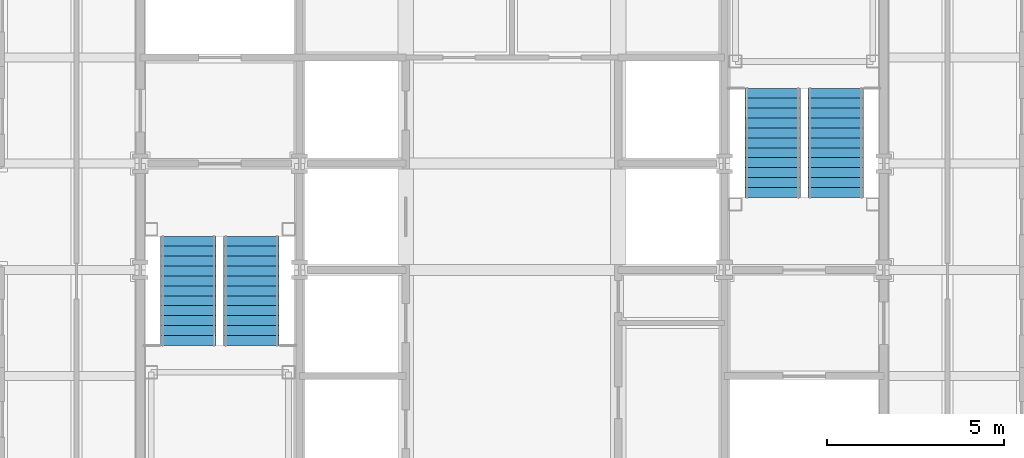
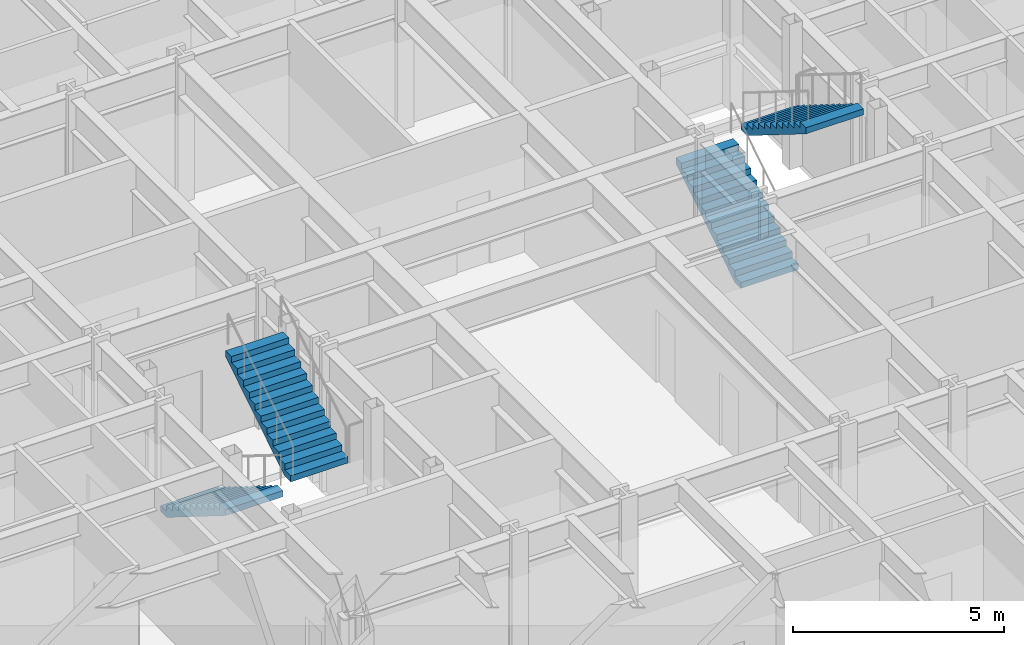
# One storey, part 13 of 15: 4 stair flights, 2 elements without a shape of their own.
"""IFC4 building model written with IfcOpenShell, lengths in metres."""

from ifc_helpers import new_model, si_unit, direction, frame, origin, place, context, subcontext, project, spatial, faceted_brep, material, type_object, element, aggregate, save


model = new_model("IFC4")

# Units and contexts
model_context = context("Model", 3, precision=1e-05, world=origin(), true_north=direction((0.0, 1.0)))
body_context = subcontext(model_context, "Body", "Model", "MODEL_VIEW")
ifc_project = project(units=[si_unit("LENGTHUNIT", "METRE"), si_unit("AREAUNIT", "SQUARE_METRE"), si_unit("VOLUMEUNIT", "CUBIC_METRE"), si_unit("PLANEANGLEUNIT", "RADIAN"), si_unit("MASSUNIT", "GRAM", prefix="KILO")], contexts=[model_context])

# Site, building, storey
site_placement = place(None, origin())
site = spatial("IfcSite", under=ifc_project, at=site_placement, CompositionType="ELEMENT")
building_placement = place(site_placement, origin())
building = spatial("IfcBuilding", under=site, at=building_placement, Name="Chuquiago Exchange Tower", CompositionType="ELEMENT")
storey_placement = place(building_placement, frame((0.0, 0.0, 270.60009765625)))
storey = spatial("IfcBuildingStorey", under=building, at=storey_placement, Name="L60", CompositionType="ELEMENT", Elevation=270.60009765625)

# Stair, stair flights
ifc_material_1 = material(Name="Concrete C30/37, precast", Category="concrete")
stair_type_1 = type_object("IfcStairType", Name="ST1 half-turn stair 4200", PredefinedType="HALF_TURN_STAIR", material=ifc_material_1)
stair_1_placement = place(storey_placement, origin())
stair_1 = element("IfcStair", 1, at=stair_1_placement, inside=storey, type_object=stair_type_1, Name="Stair ST1 L60", PredefinedType="HALF_TURN_STAIR")
ifc_material_2 = material(Name="Concrete C30/37, precast", Category="concrete")
stair_flight_type = type_object("IfcStairFlightType", Name="ST-F flight 1570 for 4200 storey", PredefinedType="STRAIGHT", material=ifc_material_2)
stair_flight_1_placement = place(storey_placement, frame((13.360107421875, 21.949951171875, 0.0), z_axis=(0.0, 0.0, 1.0), x_axis=(0.0, -1.0, 0.0)))
stair_flight_1 = element("IfcStairFlight", 2, at=stair_flight_1_placement, type_object=stair_flight_type, Name="ST1 flight 1", NumberOfRisers=12, NumberOfTreads=11, PredefinedType="STRAIGHT", RiserHeight=0.175, TreadLength=0.28, context=body_context, shape_type="Brep", body=[
    faceted_brep([(0.0, 0.78515625, 0.0), (0.0, 0.78515625, 0.175048828125), (0.280029296875, 0.78515625, 0.175048828125), (0.280029296875, 0.78515625, 0.35009765625), (0.56005859375, 0.78515625, 0.35009765625), (0.56005859375, 0.78515625, 0.52490234375), (0.840087890625, 0.78515625, 0.52490234375), (0.840087890625, 0.78515625, 0.699951171875), (1.1201171875, 0.78515625, 0.699951171875), (1.1201171875, 0.78515625, 0.875), (1.39990234375, 0.78515625, 0.875), (1.39990234375, 0.78515625, 1.050048828125), (1.679931640625, 0.78515625, 1.050048828125), (1.679931640625, 0.78515625, 1.22509765625), (1.9599609375, 0.78515625, 1.22509765625), (1.9599609375, 0.78515625, 1.39990234375), (2.239990234375, 0.78515625, 1.39990234375), (2.239990234375, 0.78515625, 1.574951171875), (2.52001953125, 0.78515625, 1.574951171875), (2.52001953125, 0.78515625, 1.75), (2.800048828125, 0.78515625, 1.75), (2.800048828125, 0.78515625, 1.925048828125), (3.080078125, 0.78515625, 1.925048828125), (3.080078125, 0.78515625, 1.748291015625), (0.28271484375, 0.78515625, 0.0), (0.28271484375, -0.78515625, 0.0), (3.080078125, -0.78515625, 1.748291015625), (3.080078125, -0.78515625, 1.925048828125), (2.800048828125, -0.78515625, 1.925048828125), (2.800048828125, -0.78515625, 1.75), (2.52001953125, -0.78515625, 1.75), (2.52001953125, -0.78515625, 1.574951171875), (2.239990234375, -0.78515625, 1.574951171875), (2.239990234375, -0.78515625, 1.39990234375), (1.9599609375, -0.78515625, 1.39990234375), (1.9599609375, -0.78515625, 1.22509765625), (1.679931640625, -0.78515625, 1.22509765625), (1.679931640625, -0.78515625, 1.050048828125), (1.39990234375, -0.78515625, 1.050048828125), (1.39990234375, -0.78515625, 0.875), (1.1201171875, -0.78515625, 0.875), (1.1201171875, -0.78515625, 0.699951171875), (0.840087890625, -0.78515625, 0.699951171875), (0.840087890625, -0.78515625, 0.52490234375), (0.56005859375, -0.78515625, 0.52490234375), (0.56005859375, -0.78515625, 0.35009765625), (0.280029296875, -0.78515625, 0.35009765625), (0.280029296875, -0.78515625, 0.175048828125), (0.0, -0.78515625, 0.175048828125), (0.0, -0.78515625, 0.0), (0.0, 0.392578125, 0.0), (0.0, 0.392578125, 0.175048828125), (0.0, 0.0, 0.0), (0.0, 0.0, 0.175048828125), (0.0, -0.392578125, 0.0), (0.0, -0.392578125, 0.175048828125), (0.280029296875, 0.392578125, 0.175048828125), (0.280029296875, 0.0, 0.175048828125), (0.280029296875, -0.392578125, 0.175048828125), (0.280029296875, 0.392578125, 0.35009765625), (0.280029296875, 0.0, 0.35009765625), (0.280029296875, -0.392578125, 0.35009765625), (0.56005859375, 0.392578125, 0.35009765625), (0.56005859375, 0.0, 0.35009765625), (0.56005859375, -0.392578125, 0.35009765625), (0.56005859375, 0.392578125, 0.52490234375), (0.56005859375, 0.0, 0.52490234375), (0.56005859375, -0.392578125, 0.52490234375), (0.840087890625, 0.392578125, 0.52490234375), (0.840087890625, 0.0, 0.52490234375), (0.840087890625, -0.392578125, 0.52490234375), (0.840087890625, 0.392578125, 0.699951171875), (0.840087890625, 0.0, 0.699951171875), (0.840087890625, -0.392578125, 0.699951171875), (1.1201171875, 0.392578125, 0.699951171875), (1.1201171875, 0.0, 0.699951171875), (1.1201171875, -0.392578125, 0.699951171875), (1.1201171875, 0.392578125, 0.875), (1.1201171875, 0.0, 0.875), (1.1201171875, -0.392578125, 0.875), (1.39990234375, 0.392578125, 0.875), (1.39990234375, 0.0, 0.875), (1.39990234375, -0.392578125, 0.875), (1.39990234375, 0.392578125, 1.050048828125), (1.39990234375, 0.0, 1.050048828125), (1.39990234375, -0.392578125, 1.050048828125), (1.679931640625, 0.392578125, 1.050048828125), (1.679931640625, 0.0, 1.050048828125), (1.679931640625, -0.392578125, 1.050048828125), (1.679931640625, 0.392578125, 1.22509765625), (1.679931640625, 0.0, 1.22509765625), (1.679931640625, -0.392578125, 1.22509765625), (1.9599609375, 0.392578125, 1.22509765625), (1.9599609375, 0.0, 1.22509765625), (1.9599609375, -0.392578125, 1.22509765625), (1.9599609375, 0.392578125, 1.39990234375), (1.9599609375, 0.0, 1.39990234375), (1.9599609375, -0.392578125, 1.39990234375), (2.239990234375, 0.392578125, 1.39990234375), (2.239990234375, 0.0, 1.39990234375), (2.239990234375, -0.392578125, 1.39990234375), (2.239990234375, 0.392578125, 1.574951171875), (2.239990234375, 0.0, 1.574951171875), (2.239990234375, -0.392578125, 1.574951171875), (2.52001953125, 0.392578125, 1.574951171875), (2.52001953125, 0.0, 1.574951171875), (2.52001953125, -0.392578125, 1.574951171875), (2.52001953125, 0.392578125, 1.75), (2.52001953125, 0.0, 1.75), (2.52001953125, -0.392578125, 1.75), (2.800048828125, 0.392578125, 1.75), (2.800048828125, 0.0, 1.75), (2.800048828125, -0.392578125, 1.75), (2.800048828125, 0.392578125, 1.925048828125), (2.800048828125, 0.0, 1.925048828125), (2.800048828125, -0.392578125, 1.925048828125), (3.080078125, 0.392578125, 1.925048828125), (3.080078125, 0.0, 1.925048828125), (3.080078125, -0.392578125, 1.925048828125), (3.080078125, 0.392578125, 1.748291015625), (3.080078125, 0.0, 1.748291015625), (3.080078125, -0.392578125, 1.748291015625), (0.28271484375, 0.392578125, 0.0), (0.28271484375, 0.0, 0.0), (0.28271484375, -0.392578125, 0.0)], [[[0, 1, 2, 3, 4, 5, 6, 7, 8, 9, 10, 11, 12, 13, 14, 15, 16, 17, 18, 19, 20, 21, 22, 23, 24]], [[25, 26, 27, 28, 29, 30, 31, 32, 33, 34, 35, 36, 37, 38, 39, 40, 41, 42, 43, 44, 45, 46, 47, 48, 49]], [[1, 0, 50, 51]], [[51, 50, 52, 53]], [[53, 52, 54, 55]], [[55, 54, 49, 48]], [[2, 1, 51, 56]], [[56, 51, 53, 57]], [[57, 53, 55, 58]], [[58, 55, 48, 47]], [[3, 2, 56, 59]], [[59, 56, 57, 60]], [[60, 57, 58, 61]], [[61, 58, 47, 46]], [[4, 3, 59, 62]], [[62, 59, 60, 63]], [[63, 60, 61, 64]], [[64, 61, 46, 45]], [[5, 4, 62, 65]], [[65, 62, 63, 66]], [[66, 63, 64, 67]], [[67, 64, 45, 44]], [[6, 5, 65, 68]], [[68, 65, 66, 69]], [[69, 66, 67, 70]], [[70, 67, 44, 43]], [[7, 6, 68, 71]], [[71, 68, 69, 72]], [[72, 69, 70, 73]], [[73, 70, 43, 42]], [[8, 7, 71, 74]], [[74, 71, 72, 75]], [[75, 72, 73, 76]], [[76, 73, 42, 41]], [[9, 8, 74, 77]], [[77, 74, 75, 78]], [[78, 75, 76, 79]], [[79, 76, 41, 40]], [[10, 9, 77, 80]], [[80, 77, 78, 81]], [[81, 78, 79, 82]], [[82, 79, 40, 39]], [[11, 10, 80, 83]], [[83, 80, 81, 84]], [[84, 81, 82, 85]], [[85, 82, 39, 38]], [[12, 11, 83, 86]], [[86, 83, 84, 87]], [[87, 84, 85, 88]], [[88, 85, 38, 37]], [[13, 12, 86, 89]], [[89, 86, 87, 90]], [[90, 87, 88, 91]], [[91, 88, 37, 36]], [[14, 13, 89, 92]], [[92, 89, 90, 93]], [[93, 90, 91, 94]], [[94, 91, 36, 35]], [[15, 14, 92, 95]], [[95, 92, 93, 96]], [[96, 93, 94, 97]], [[97, 94, 35, 34]], [[16, 15, 95, 98]], [[98, 95, 96, 99]], [[99, 96, 97, 100]], [[100, 97, 34, 33]], [[17, 16, 98, 101]], [[101, 98, 99, 102]], [[102, 99, 100, 103]], [[103, 100, 33, 32]], [[18, 17, 101, 104]], [[104, 101, 102, 105]], [[105, 102, 103, 106]], [[106, 103, 32, 31]], [[19, 18, 104, 107]], [[107, 104, 105, 108]], [[108, 105, 106, 109]], [[109, 106, 31, 30]], [[20, 19, 107, 110]], [[110, 107, 108, 111]], [[111, 108, 109, 112]], [[112, 109, 30, 29]], [[21, 20, 110, 113]], [[113, 110, 111, 114]], [[114, 111, 112, 115]], [[115, 112, 29, 28]], [[22, 21, 113, 116]], [[116, 113, 114, 117]], [[117, 114, 115, 118]], [[118, 115, 28, 27]], [[23, 22, 116, 119]], [[119, 116, 117, 120]], [[120, 117, 118, 121]], [[121, 118, 27, 26]], [[24, 23, 119, 122]], [[122, 119, 120, 123]], [[123, 120, 121, 124]], [[124, 121, 26, 25]], [[0, 24, 122, 50]], [[50, 122, 123, 52]], [[52, 123, 124, 54]], [[54, 124, 25, 49]]]),
])
stair_flight_2_placement = place(storey_placement, frame((15.139892578125, 18.8701171875, 2.099853515625), z_axis=(0.0, 0.0, 1.0), x_axis=(0.0, 1.0, 0.0)))
stair_flight_2 = element("IfcStairFlight", 3, at=stair_flight_2_placement, type_object=stair_flight_type, Name="ST1 flight 2", NumberOfRisers=12, NumberOfTreads=11, PredefinedType="STRAIGHT", RiserHeight=0.175, TreadLength=0.28, context=body_context, shape_type="Brep", body=[
    faceted_brep([(0.0, 0.78515625, 0.0), (0.0, 0.78515625, 0.175048828125), (0.280029296875, 0.78515625, 0.175048828125), (0.280029296875, 0.78515625, 0.35009765625), (0.56005859375, 0.78515625, 0.35009765625), (0.56005859375, 0.78515625, 0.52490234375), (0.840087890625, 0.78515625, 0.52490234375), (0.840087890625, 0.78515625, 0.699951171875), (1.1201171875, 0.78515625, 0.699951171875), (1.1201171875, 0.78515625, 0.875), (1.39990234375, 0.78515625, 0.875), (1.39990234375, 0.78515625, 1.050048828125), (1.679931640625, 0.78515625, 1.050048828125), (1.679931640625, 0.78515625, 1.22509765625), (1.9599609375, 0.78515625, 1.22509765625), (1.9599609375, 0.78515625, 1.39990234375), (2.239990234375, 0.78515625, 1.39990234375), (2.239990234375, 0.78515625, 1.574951171875), (2.52001953125, 0.78515625, 1.574951171875), (2.52001953125, 0.78515625, 1.75), (2.800048828125, 0.78515625, 1.75), (2.800048828125, 0.78515625, 1.925048828125), (3.080078125, 0.78515625, 1.925048828125), (3.080078125, 0.78515625, 1.748291015625), (0.28271484375, 0.78515625, 0.0), (0.28271484375, -0.78515625, 0.0), (3.080078125, -0.78515625, 1.748291015625), (3.080078125, -0.78515625, 1.925048828125), (2.800048828125, -0.78515625, 1.925048828125), (2.800048828125, -0.78515625, 1.75), (2.52001953125, -0.78515625, 1.75), (2.52001953125, -0.78515625, 1.574951171875), (2.239990234375, -0.78515625, 1.574951171875), (2.239990234375, -0.78515625, 1.39990234375), (1.9599609375, -0.78515625, 1.39990234375), (1.9599609375, -0.78515625, 1.22509765625), (1.679931640625, -0.78515625, 1.22509765625), (1.679931640625, -0.78515625, 1.050048828125), (1.39990234375, -0.78515625, 1.050048828125), (1.39990234375, -0.78515625, 0.875), (1.1201171875, -0.78515625, 0.875), (1.1201171875, -0.78515625, 0.699951171875), (0.840087890625, -0.78515625, 0.699951171875), (0.840087890625, -0.78515625, 0.52490234375), (0.56005859375, -0.78515625, 0.52490234375), (0.56005859375, -0.78515625, 0.35009765625), (0.280029296875, -0.78515625, 0.35009765625), (0.280029296875, -0.78515625, 0.175048828125), (0.0, -0.78515625, 0.175048828125), (0.0, -0.78515625, 0.0), (0.0, 0.392578125, 0.0), (0.0, 0.392578125, 0.175048828125), (0.0, 0.0, 0.0), (0.0, 0.0, 0.175048828125), (0.0, -0.392578125, 0.0), (0.0, -0.392578125, 0.175048828125), (0.280029296875, 0.392578125, 0.175048828125), (0.280029296875, 0.0, 0.175048828125), (0.280029296875, -0.392578125, 0.175048828125), (0.280029296875, 0.392578125, 0.35009765625), (0.280029296875, 0.0, 0.35009765625), (0.280029296875, -0.392578125, 0.35009765625), (0.56005859375, 0.392578125, 0.35009765625), (0.56005859375, 0.0, 0.35009765625), (0.56005859375, -0.392578125, 0.35009765625), (0.56005859375, 0.392578125, 0.52490234375), (0.56005859375, 0.0, 0.52490234375), (0.56005859375, -0.392578125, 0.52490234375), (0.840087890625, 0.392578125, 0.52490234375), (0.840087890625, 0.0, 0.52490234375), (0.840087890625, -0.392578125, 0.52490234375), (0.840087890625, 0.392578125, 0.699951171875), (0.840087890625, 0.0, 0.699951171875), (0.840087890625, -0.392578125, 0.699951171875), (1.1201171875, 0.392578125, 0.699951171875), (1.1201171875, 0.0, 0.699951171875), (1.1201171875, -0.392578125, 0.699951171875), (1.1201171875, 0.392578125, 0.875), (1.1201171875, 0.0, 0.875), (1.1201171875, -0.392578125, 0.875), (1.39990234375, 0.392578125, 0.875), (1.39990234375, 0.0, 0.875), (1.39990234375, -0.392578125, 0.875), (1.39990234375, 0.392578125, 1.050048828125), (1.39990234375, 0.0, 1.050048828125), (1.39990234375, -0.392578125, 1.050048828125), (1.679931640625, 0.392578125, 1.050048828125), (1.679931640625, 0.0, 1.050048828125), (1.679931640625, -0.392578125, 1.050048828125), (1.679931640625, 0.392578125, 1.22509765625), (1.679931640625, 0.0, 1.22509765625), (1.679931640625, -0.392578125, 1.22509765625), (1.9599609375, 0.392578125, 1.22509765625), (1.9599609375, 0.0, 1.22509765625), (1.9599609375, -0.392578125, 1.22509765625), (1.9599609375, 0.392578125, 1.39990234375), (1.9599609375, 0.0, 1.39990234375), (1.9599609375, -0.392578125, 1.39990234375), (2.239990234375, 0.392578125, 1.39990234375), (2.239990234375, 0.0, 1.39990234375), (2.239990234375, -0.392578125, 1.39990234375), (2.239990234375, 0.392578125, 1.574951171875), (2.239990234375, 0.0, 1.574951171875), (2.239990234375, -0.392578125, 1.574951171875), (2.52001953125, 0.392578125, 1.574951171875), (2.52001953125, 0.0, 1.574951171875), (2.52001953125, -0.392578125, 1.574951171875), (2.52001953125, 0.392578125, 1.75), (2.52001953125, 0.0, 1.75), (2.52001953125, -0.392578125, 1.75), (2.800048828125, 0.392578125, 1.75), (2.800048828125, 0.0, 1.75), (2.800048828125, -0.392578125, 1.75), (2.800048828125, 0.392578125, 1.925048828125), (2.800048828125, 0.0, 1.925048828125), (2.800048828125, -0.392578125, 1.925048828125), (3.080078125, 0.392578125, 1.925048828125), (3.080078125, 0.0, 1.925048828125), (3.080078125, -0.392578125, 1.925048828125), (3.080078125, 0.392578125, 1.748291015625), (3.080078125, 0.0, 1.748291015625), (3.080078125, -0.392578125, 1.748291015625), (0.28271484375, 0.392578125, 0.0), (0.28271484375, 0.0, 0.0), (0.28271484375, -0.392578125, 0.0)], [[[0, 1, 2, 3, 4, 5, 6, 7, 8, 9, 10, 11, 12, 13, 14, 15, 16, 17, 18, 19, 20, 21, 22, 23, 24]], [[25, 26, 27, 28, 29, 30, 31, 32, 33, 34, 35, 36, 37, 38, 39, 40, 41, 42, 43, 44, 45, 46, 47, 48, 49]], [[1, 0, 50, 51]], [[51, 50, 52, 53]], [[53, 52, 54, 55]], [[55, 54, 49, 48]], [[2, 1, 51, 56]], [[56, 51, 53, 57]], [[57, 53, 55, 58]], [[58, 55, 48, 47]], [[3, 2, 56, 59]], [[59, 56, 57, 60]], [[60, 57, 58, 61]], [[61, 58, 47, 46]], [[4, 3, 59, 62]], [[62, 59, 60, 63]], [[63, 60, 61, 64]], [[64, 61, 46, 45]], [[5, 4, 62, 65]], [[65, 62, 63, 66]], [[66, 63, 64, 67]], [[67, 64, 45, 44]], [[6, 5, 65, 68]], [[68, 65, 66, 69]], [[69, 66, 67, 70]], [[70, 67, 44, 43]], [[7, 6, 68, 71]], [[71, 68, 69, 72]], [[72, 69, 70, 73]], [[73, 70, 43, 42]], [[8, 7, 71, 74]], [[74, 71, 72, 75]], [[75, 72, 73, 76]], [[76, 73, 42, 41]], [[9, 8, 74, 77]], [[77, 74, 75, 78]], [[78, 75, 76, 79]], [[79, 76, 41, 40]], [[10, 9, 77, 80]], [[80, 77, 78, 81]], [[81, 78, 79, 82]], [[82, 79, 40, 39]], [[11, 10, 80, 83]], [[83, 80, 81, 84]], [[84, 81, 82, 85]], [[85, 82, 39, 38]], [[12, 11, 83, 86]], [[86, 83, 84, 87]], [[87, 84, 85, 88]], [[88, 85, 38, 37]], [[13, 12, 86, 89]], [[89, 86, 87, 90]], [[90, 87, 88, 91]], [[91, 88, 37, 36]], [[14, 13, 89, 92]], [[92, 89, 90, 93]], [[93, 90, 91, 94]], [[94, 91, 36, 35]], [[15, 14, 92, 95]], [[95, 92, 93, 96]], [[96, 93, 94, 97]], [[97, 94, 35, 34]], [[16, 15, 95, 98]], [[98, 95, 96, 99]], [[99, 96, 97, 100]], [[100, 97, 34, 33]], [[17, 16, 98, 101]], [[101, 98, 99, 102]], [[102, 99, 100, 103]], [[103, 100, 33, 32]], [[18, 17, 101, 104]], [[104, 101, 102, 105]], [[105, 102, 103, 106]], [[106, 103, 32, 31]], [[19, 18, 104, 107]], [[107, 104, 105, 108]], [[108, 105, 106, 109]], [[109, 106, 31, 30]], [[20, 19, 107, 110]], [[110, 107, 108, 111]], [[111, 108, 109, 112]], [[112, 109, 30, 29]], [[21, 20, 110, 113]], [[113, 110, 111, 114]], [[114, 111, 112, 115]], [[115, 112, 29, 28]], [[22, 21, 113, 116]], [[116, 113, 114, 117]], [[117, 114, 115, 118]], [[118, 115, 28, 27]], [[23, 22, 116, 119]], [[119, 116, 117, 120]], [[120, 117, 118, 121]], [[121, 118, 27, 26]], [[24, 23, 119, 122]], [[122, 119, 120, 123]], [[123, 120, 121, 124]], [[124, 121, 26, 25]], [[0, 24, 122, 50]], [[50, 122, 123, 52]], [[52, 123, 124, 54]], [[54, 124, 25, 49]]]),
])
aggregate(stair_1, [stair_flight_1, stair_flight_2])

ifc_material_3 = material(Name="Concrete C30/37, precast", Category="concrete")
stair_type_2 = type_object("IfcStairType", Name="ST2 half-turn stair 4200", PredefinedType="HALF_TURN_STAIR", material=ifc_material_3)
stair_2_placement = place(storey_placement, origin())
stair_2 = element("IfcStair", 4, at=stair_2_placement, inside=storey, type_object=stair_type_2, Name="Stair ST2 L60", PredefinedType="HALF_TURN_STAIR")
stair_flight_3_placement = place(storey_placement, frame((29.860107421875, 23.050048828125, 0.0), z_axis=(0.0, 0.0, 1.0), x_axis=(0.0, 1.0, 0.0)))
stair_flight_3 = element("IfcStairFlight", 5, at=stair_flight_3_placement, type_object=stair_flight_type, Name="ST2 flight 1", NumberOfRisers=12, NumberOfTreads=11, PredefinedType="STRAIGHT", RiserHeight=0.175, TreadLength=0.28, context=body_context, shape_type="Brep", body=[
    faceted_brep([(0.0, 0.78515625, 0.0), (0.0, 0.78515625, 0.175048828125), (0.280029296875, 0.78515625, 0.175048828125), (0.280029296875, 0.78515625, 0.35009765625), (0.56005859375, 0.78515625, 0.35009765625), (0.56005859375, 0.78515625, 0.52490234375), (0.840087890625, 0.78515625, 0.52490234375), (0.840087890625, 0.78515625, 0.699951171875), (1.1201171875, 0.78515625, 0.699951171875), (1.1201171875, 0.78515625, 0.875), (1.39990234375, 0.78515625, 0.875), (1.39990234375, 0.78515625, 1.050048828125), (1.679931640625, 0.78515625, 1.050048828125), (1.679931640625, 0.78515625, 1.22509765625), (1.9599609375, 0.78515625, 1.22509765625), (1.9599609375, 0.78515625, 1.39990234375), (2.239990234375, 0.78515625, 1.39990234375), (2.239990234375, 0.78515625, 1.574951171875), (2.52001953125, 0.78515625, 1.574951171875), (2.52001953125, 0.78515625, 1.75), (2.800048828125, 0.78515625, 1.75), (2.800048828125, 0.78515625, 1.925048828125), (3.080078125, 0.78515625, 1.925048828125), (3.080078125, 0.78515625, 1.748291015625), (0.28271484375, 0.78515625, 0.0), (0.28271484375, -0.78515625, 0.0), (3.080078125, -0.78515625, 1.748291015625), (3.080078125, -0.78515625, 1.925048828125), (2.800048828125, -0.78515625, 1.925048828125), (2.800048828125, -0.78515625, 1.75), (2.52001953125, -0.78515625, 1.75), (2.52001953125, -0.78515625, 1.574951171875), (2.239990234375, -0.78515625, 1.574951171875), (2.239990234375, -0.78515625, 1.39990234375), (1.9599609375, -0.78515625, 1.39990234375), (1.9599609375, -0.78515625, 1.22509765625), (1.679931640625, -0.78515625, 1.22509765625), (1.679931640625, -0.78515625, 1.050048828125), (1.39990234375, -0.78515625, 1.050048828125), (1.39990234375, -0.78515625, 0.875), (1.1201171875, -0.78515625, 0.875), (1.1201171875, -0.78515625, 0.699951171875), (0.840087890625, -0.78515625, 0.699951171875), (0.840087890625, -0.78515625, 0.52490234375), (0.56005859375, -0.78515625, 0.52490234375), (0.56005859375, -0.78515625, 0.35009765625), (0.280029296875, -0.78515625, 0.35009765625), (0.280029296875, -0.78515625, 0.175048828125), (0.0, -0.78515625, 0.175048828125), (0.0, -0.78515625, 0.0), (0.0, 0.392578125, 0.0), (0.0, 0.392578125, 0.175048828125), (0.0, 0.0, 0.0), (0.0, 0.0, 0.175048828125), (0.0, -0.392578125, 0.0), (0.0, -0.392578125, 0.175048828125), (0.280029296875, 0.392578125, 0.175048828125), (0.280029296875, 0.0, 0.175048828125), (0.280029296875, -0.392578125, 0.175048828125), (0.280029296875, 0.392578125, 0.35009765625), (0.280029296875, 0.0, 0.35009765625), (0.280029296875, -0.392578125, 0.35009765625), (0.56005859375, 0.392578125, 0.35009765625), (0.56005859375, 0.0, 0.35009765625), (0.56005859375, -0.392578125, 0.35009765625), (0.56005859375, 0.392578125, 0.52490234375), (0.56005859375, 0.0, 0.52490234375), (0.56005859375, -0.392578125, 0.52490234375), (0.840087890625, 0.392578125, 0.52490234375), (0.840087890625, 0.0, 0.52490234375), (0.840087890625, -0.392578125, 0.52490234375), (0.840087890625, 0.392578125, 0.699951171875), (0.840087890625, 0.0, 0.699951171875), (0.840087890625, -0.392578125, 0.699951171875), (1.1201171875, 0.392578125, 0.699951171875), (1.1201171875, 0.0, 0.699951171875), (1.1201171875, -0.392578125, 0.699951171875), (1.1201171875, 0.392578125, 0.875), (1.1201171875, 0.0, 0.875), (1.1201171875, -0.392578125, 0.875), (1.39990234375, 0.392578125, 0.875), (1.39990234375, 0.0, 0.875), (1.39990234375, -0.392578125, 0.875), (1.39990234375, 0.392578125, 1.050048828125), (1.39990234375, 0.0, 1.050048828125), (1.39990234375, -0.392578125, 1.050048828125), (1.679931640625, 0.392578125, 1.050048828125), (1.679931640625, 0.0, 1.050048828125), (1.679931640625, -0.392578125, 1.050048828125), (1.679931640625, 0.392578125, 1.22509765625), (1.679931640625, 0.0, 1.22509765625), (1.679931640625, -0.392578125, 1.22509765625), (1.9599609375, 0.392578125, 1.22509765625), (1.9599609375, 0.0, 1.22509765625), (1.9599609375, -0.392578125, 1.22509765625), (1.9599609375, 0.392578125, 1.39990234375), (1.9599609375, 0.0, 1.39990234375), (1.9599609375, -0.392578125, 1.39990234375), (2.239990234375, 0.392578125, 1.39990234375), (2.239990234375, 0.0, 1.39990234375), (2.239990234375, -0.392578125, 1.39990234375), (2.239990234375, 0.392578125, 1.574951171875), (2.239990234375, 0.0, 1.574951171875), (2.239990234375, -0.392578125, 1.574951171875), (2.52001953125, 0.392578125, 1.574951171875), (2.52001953125, 0.0, 1.574951171875), (2.52001953125, -0.392578125, 1.574951171875), (2.52001953125, 0.392578125, 1.75), (2.52001953125, 0.0, 1.75), (2.52001953125, -0.392578125, 1.75), (2.800048828125, 0.392578125, 1.75), (2.800048828125, 0.0, 1.75), (2.800048828125, -0.392578125, 1.75), (2.800048828125, 0.392578125, 1.925048828125), (2.800048828125, 0.0, 1.925048828125), (2.800048828125, -0.392578125, 1.925048828125), (3.080078125, 0.392578125, 1.925048828125), (3.080078125, 0.0, 1.925048828125), (3.080078125, -0.392578125, 1.925048828125), (3.080078125, 0.392578125, 1.748291015625), (3.080078125, 0.0, 1.748291015625), (3.080078125, -0.392578125, 1.748291015625), (0.28271484375, 0.392578125, 0.0), (0.28271484375, 0.0, 0.0), (0.28271484375, -0.392578125, 0.0)], [[[0, 1, 2, 3, 4, 5, 6, 7, 8, 9, 10, 11, 12, 13, 14, 15, 16, 17, 18, 19, 20, 21, 22, 23, 24]], [[25, 26, 27, 28, 29, 30, 31, 32, 33, 34, 35, 36, 37, 38, 39, 40, 41, 42, 43, 44, 45, 46, 47, 48, 49]], [[1, 0, 50, 51]], [[51, 50, 52, 53]], [[53, 52, 54, 55]], [[55, 54, 49, 48]], [[2, 1, 51, 56]], [[56, 51, 53, 57]], [[57, 53, 55, 58]], [[58, 55, 48, 47]], [[3, 2, 56, 59]], [[59, 56, 57, 60]], [[60, 57, 58, 61]], [[61, 58, 47, 46]], [[4, 3, 59, 62]], [[62, 59, 60, 63]], [[63, 60, 61, 64]], [[64, 61, 46, 45]], [[5, 4, 62, 65]], [[65, 62, 63, 66]], [[66, 63, 64, 67]], [[67, 64, 45, 44]], [[6, 5, 65, 68]], [[68, 65, 66, 69]], [[69, 66, 67, 70]], [[70, 67, 44, 43]], [[7, 6, 68, 71]], [[71, 68, 69, 72]], [[72, 69, 70, 73]], [[73, 70, 43, 42]], [[8, 7, 71, 74]], [[74, 71, 72, 75]], [[75, 72, 73, 76]], [[76, 73, 42, 41]], [[9, 8, 74, 77]], [[77, 74, 75, 78]], [[78, 75, 76, 79]], [[79, 76, 41, 40]], [[10, 9, 77, 80]], [[80, 77, 78, 81]], [[81, 78, 79, 82]], [[82, 79, 40, 39]], [[11, 10, 80, 83]], [[83, 80, 81, 84]], [[84, 81, 82, 85]], [[85, 82, 39, 38]], [[12, 11, 83, 86]], [[86, 83, 84, 87]], [[87, 84, 85, 88]], [[88, 85, 38, 37]], [[13, 12, 86, 89]], [[89, 86, 87, 90]], [[90, 87, 88, 91]], [[91, 88, 37, 36]], [[14, 13, 89, 92]], [[92, 89, 90, 93]], [[93, 90, 91, 94]], [[94, 91, 36, 35]], [[15, 14, 92, 95]], [[95, 92, 93, 96]], [[96, 93, 94, 97]], [[97, 94, 35, 34]], [[16, 15, 95, 98]], [[98, 95, 96, 99]], [[99, 96, 97, 100]], [[100, 97, 34, 33]], [[17, 16, 98, 101]], [[101, 98, 99, 102]], [[102, 99, 100, 103]], [[103, 100, 33, 32]], [[18, 17, 101, 104]], [[104, 101, 102, 105]], [[105, 102, 103, 106]], [[106, 103, 32, 31]], [[19, 18, 104, 107]], [[107, 104, 105, 108]], [[108, 105, 106, 109]], [[109, 106, 31, 30]], [[20, 19, 107, 110]], [[110, 107, 108, 111]], [[111, 108, 109, 112]], [[112, 109, 30, 29]], [[21, 20, 110, 113]], [[113, 110, 111, 114]], [[114, 111, 112, 115]], [[115, 112, 29, 28]], [[22, 21, 113, 116]], [[116, 113, 114, 117]], [[117, 114, 115, 118]], [[118, 115, 28, 27]], [[23, 22, 116, 119]], [[119, 116, 117, 120]], [[120, 117, 118, 121]], [[121, 118, 27, 26]], [[24, 23, 119, 122]], [[122, 119, 120, 123]], [[123, 120, 121, 124]], [[124, 121, 26, 25]], [[0, 24, 122, 50]], [[50, 122, 123, 52]], [[52, 123, 124, 54]], [[54, 124, 25, 49]]]),
])
stair_flight_4_placement = place(storey_placement, frame((31.639892578125, 26.1298828125, 2.099853515625), z_axis=(0.0, 0.0, 1.0), x_axis=(0.0, -1.0, 0.0)))
stair_flight_4 = element("IfcStairFlight", 6, at=stair_flight_4_placement, type_object=stair_flight_type, Name="ST2 flight 2", NumberOfRisers=12, NumberOfTreads=11, PredefinedType="STRAIGHT", RiserHeight=0.175, TreadLength=0.28, context=body_context, shape_type="Brep", body=[
    faceted_brep([(0.0, 0.78515625, 0.0), (0.0, 0.78515625, 0.175048828125), (0.280029296875, 0.78515625, 0.175048828125), (0.280029296875, 0.78515625, 0.35009765625), (0.56005859375, 0.78515625, 0.35009765625), (0.56005859375, 0.78515625, 0.52490234375), (0.840087890625, 0.78515625, 0.52490234375), (0.840087890625, 0.78515625, 0.699951171875), (1.1201171875, 0.78515625, 0.699951171875), (1.1201171875, 0.78515625, 0.875), (1.39990234375, 0.78515625, 0.875), (1.39990234375, 0.78515625, 1.050048828125), (1.679931640625, 0.78515625, 1.050048828125), (1.679931640625, 0.78515625, 1.22509765625), (1.9599609375, 0.78515625, 1.22509765625), (1.9599609375, 0.78515625, 1.39990234375), (2.239990234375, 0.78515625, 1.39990234375), (2.239990234375, 0.78515625, 1.574951171875), (2.52001953125, 0.78515625, 1.574951171875), (2.52001953125, 0.78515625, 1.75), (2.800048828125, 0.78515625, 1.75), (2.800048828125, 0.78515625, 1.925048828125), (3.080078125, 0.78515625, 1.925048828125), (3.080078125, 0.78515625, 1.748291015625), (0.28271484375, 0.78515625, 0.0), (0.28271484375, -0.78515625, 0.0), (3.080078125, -0.78515625, 1.748291015625), (3.080078125, -0.78515625, 1.925048828125), (2.800048828125, -0.78515625, 1.925048828125), (2.800048828125, -0.78515625, 1.75), (2.52001953125, -0.78515625, 1.75), (2.52001953125, -0.78515625, 1.574951171875), (2.239990234375, -0.78515625, 1.574951171875), (2.239990234375, -0.78515625, 1.39990234375), (1.9599609375, -0.78515625, 1.39990234375), (1.9599609375, -0.78515625, 1.22509765625), (1.679931640625, -0.78515625, 1.22509765625), (1.679931640625, -0.78515625, 1.050048828125), (1.39990234375, -0.78515625, 1.050048828125), (1.39990234375, -0.78515625, 0.875), (1.1201171875, -0.78515625, 0.875), (1.1201171875, -0.78515625, 0.699951171875), (0.840087890625, -0.78515625, 0.699951171875), (0.840087890625, -0.78515625, 0.52490234375), (0.56005859375, -0.78515625, 0.52490234375), (0.56005859375, -0.78515625, 0.35009765625), (0.280029296875, -0.78515625, 0.35009765625), (0.280029296875, -0.78515625, 0.175048828125), (0.0, -0.78515625, 0.175048828125), (0.0, -0.78515625, 0.0), (0.0, 0.392578125, 0.0), (0.0, 0.392578125, 0.175048828125), (0.0, 0.0, 0.0), (0.0, 0.0, 0.175048828125), (0.0, -0.392578125, 0.0), (0.0, -0.392578125, 0.175048828125), (0.280029296875, 0.392578125, 0.175048828125), (0.280029296875, 0.0, 0.175048828125), (0.280029296875, -0.392578125, 0.175048828125), (0.280029296875, 0.392578125, 0.35009765625), (0.280029296875, 0.0, 0.35009765625), (0.280029296875, -0.392578125, 0.35009765625), (0.56005859375, 0.392578125, 0.35009765625), (0.56005859375, 0.0, 0.35009765625), (0.56005859375, -0.392578125, 0.35009765625), (0.56005859375, 0.392578125, 0.52490234375), (0.56005859375, 0.0, 0.52490234375), (0.56005859375, -0.392578125, 0.52490234375), (0.840087890625, 0.392578125, 0.52490234375), (0.840087890625, 0.0, 0.52490234375), (0.840087890625, -0.392578125, 0.52490234375), (0.840087890625, 0.392578125, 0.699951171875), (0.840087890625, 0.0, 0.699951171875), (0.840087890625, -0.392578125, 0.699951171875), (1.1201171875, 0.392578125, 0.699951171875), (1.1201171875, 0.0, 0.699951171875), (1.1201171875, -0.392578125, 0.699951171875), (1.1201171875, 0.392578125, 0.875), (1.1201171875, 0.0, 0.875), (1.1201171875, -0.392578125, 0.875), (1.39990234375, 0.392578125, 0.875), (1.39990234375, 0.0, 0.875), (1.39990234375, -0.392578125, 0.875), (1.39990234375, 0.392578125, 1.050048828125), (1.39990234375, 0.0, 1.050048828125), (1.39990234375, -0.392578125, 1.050048828125), (1.679931640625, 0.392578125, 1.050048828125), (1.679931640625, 0.0, 1.050048828125), (1.679931640625, -0.392578125, 1.050048828125), (1.679931640625, 0.392578125, 1.22509765625), (1.679931640625, 0.0, 1.22509765625), (1.679931640625, -0.392578125, 1.22509765625), (1.9599609375, 0.392578125, 1.22509765625), (1.9599609375, 0.0, 1.22509765625), (1.9599609375, -0.392578125, 1.22509765625), (1.9599609375, 0.392578125, 1.39990234375), (1.9599609375, 0.0, 1.39990234375), (1.9599609375, -0.392578125, 1.39990234375), (2.239990234375, 0.392578125, 1.39990234375), (2.239990234375, 0.0, 1.39990234375), (2.239990234375, -0.392578125, 1.39990234375), (2.239990234375, 0.392578125, 1.574951171875), (2.239990234375, 0.0, 1.574951171875), (2.239990234375, -0.392578125, 1.574951171875), (2.52001953125, 0.392578125, 1.574951171875), (2.52001953125, 0.0, 1.574951171875), (2.52001953125, -0.392578125, 1.574951171875), (2.52001953125, 0.392578125, 1.75), (2.52001953125, 0.0, 1.75), (2.52001953125, -0.392578125, 1.75), (2.800048828125, 0.392578125, 1.75), (2.800048828125, 0.0, 1.75), (2.800048828125, -0.392578125, 1.75), (2.800048828125, 0.392578125, 1.925048828125), (2.800048828125, 0.0, 1.925048828125), (2.800048828125, -0.392578125, 1.925048828125), (3.080078125, 0.392578125, 1.925048828125), (3.080078125, 0.0, 1.925048828125), (3.080078125, -0.392578125, 1.925048828125), (3.080078125, 0.392578125, 1.748291015625), (3.080078125, 0.0, 1.748291015625), (3.080078125, -0.392578125, 1.748291015625), (0.28271484375, 0.392578125, 0.0), (0.28271484375, 0.0, 0.0), (0.28271484375, -0.392578125, 0.0)], [[[0, 1, 2, 3, 4, 5, 6, 7, 8, 9, 10, 11, 12, 13, 14, 15, 16, 17, 18, 19, 20, 21, 22, 23, 24]], [[25, 26, 27, 28, 29, 30, 31, 32, 33, 34, 35, 36, 37, 38, 39, 40, 41, 42, 43, 44, 45, 46, 47, 48, 49]], [[1, 0, 50, 51]], [[51, 50, 52, 53]], [[53, 52, 54, 55]], [[55, 54, 49, 48]], [[2, 1, 51, 56]], [[56, 51, 53, 57]], [[57, 53, 55, 58]], [[58, 55, 48, 47]], [[3, 2, 56, 59]], [[59, 56, 57, 60]], [[60, 57, 58, 61]], [[61, 58, 47, 46]], [[4, 3, 59, 62]], [[62, 59, 60, 63]], [[63, 60, 61, 64]], [[64, 61, 46, 45]], [[5, 4, 62, 65]], [[65, 62, 63, 66]], [[66, 63, 64, 67]], [[67, 64, 45, 44]], [[6, 5, 65, 68]], [[68, 65, 66, 69]], [[69, 66, 67, 70]], [[70, 67, 44, 43]], [[7, 6, 68, 71]], [[71, 68, 69, 72]], [[72, 69, 70, 73]], [[73, 70, 43, 42]], [[8, 7, 71, 74]], [[74, 71, 72, 75]], [[75, 72, 73, 76]], [[76, 73, 42, 41]], [[9, 8, 74, 77]], [[77, 74, 75, 78]], [[78, 75, 76, 79]], [[79, 76, 41, 40]], [[10, 9, 77, 80]], [[80, 77, 78, 81]], [[81, 78, 79, 82]], [[82, 79, 40, 39]], [[11, 10, 80, 83]], [[83, 80, 81, 84]], [[84, 81, 82, 85]], [[85, 82, 39, 38]], [[12, 11, 83, 86]], [[86, 83, 84, 87]], [[87, 84, 85, 88]], [[88, 85, 38, 37]], [[13, 12, 86, 89]], [[89, 86, 87, 90]], [[90, 87, 88, 91]], [[91, 88, 37, 36]], [[14, 13, 89, 92]], [[92, 89, 90, 93]], [[93, 90, 91, 94]], [[94, 91, 36, 35]], [[15, 14, 92, 95]], [[95, 92, 93, 96]], [[96, 93, 94, 97]], [[97, 94, 35, 34]], [[16, 15, 95, 98]], [[98, 95, 96, 99]], [[99, 96, 97, 100]], [[100, 97, 34, 33]], [[17, 16, 98, 101]], [[101, 98, 99, 102]], [[102, 99, 100, 103]], [[103, 100, 33, 32]], [[18, 17, 101, 104]], [[104, 101, 102, 105]], [[105, 102, 103, 106]], [[106, 103, 32, 31]], [[19, 18, 104, 107]], [[107, 104, 105, 108]], [[108, 105, 106, 109]], [[109, 106, 31, 30]], [[20, 19, 107, 110]], [[110, 107, 108, 111]], [[111, 108, 109, 112]], [[112, 109, 30, 29]], [[21, 20, 110, 113]], [[113, 110, 111, 114]], [[114, 111, 112, 115]], [[115, 112, 29, 28]], [[22, 21, 113, 116]], [[116, 113, 114, 117]], [[117, 114, 115, 118]], [[118, 115, 28, 27]], [[23, 22, 116, 119]], [[119, 116, 117, 120]], [[120, 117, 118, 121]], [[121, 118, 27, 26]], [[24, 23, 119, 122]], [[122, 119, 120, 123]], [[123, 120, 121, 124]], [[124, 121, 26, 25]], [[0, 24, 122, 50]], [[50, 122, 123, 52]], [[52, 123, 124, 54]], [[54, 124, 25, 49]]]),
])
aggregate(stair_2, [stair_flight_3, stair_flight_4])

save(model, "model.ifc")
